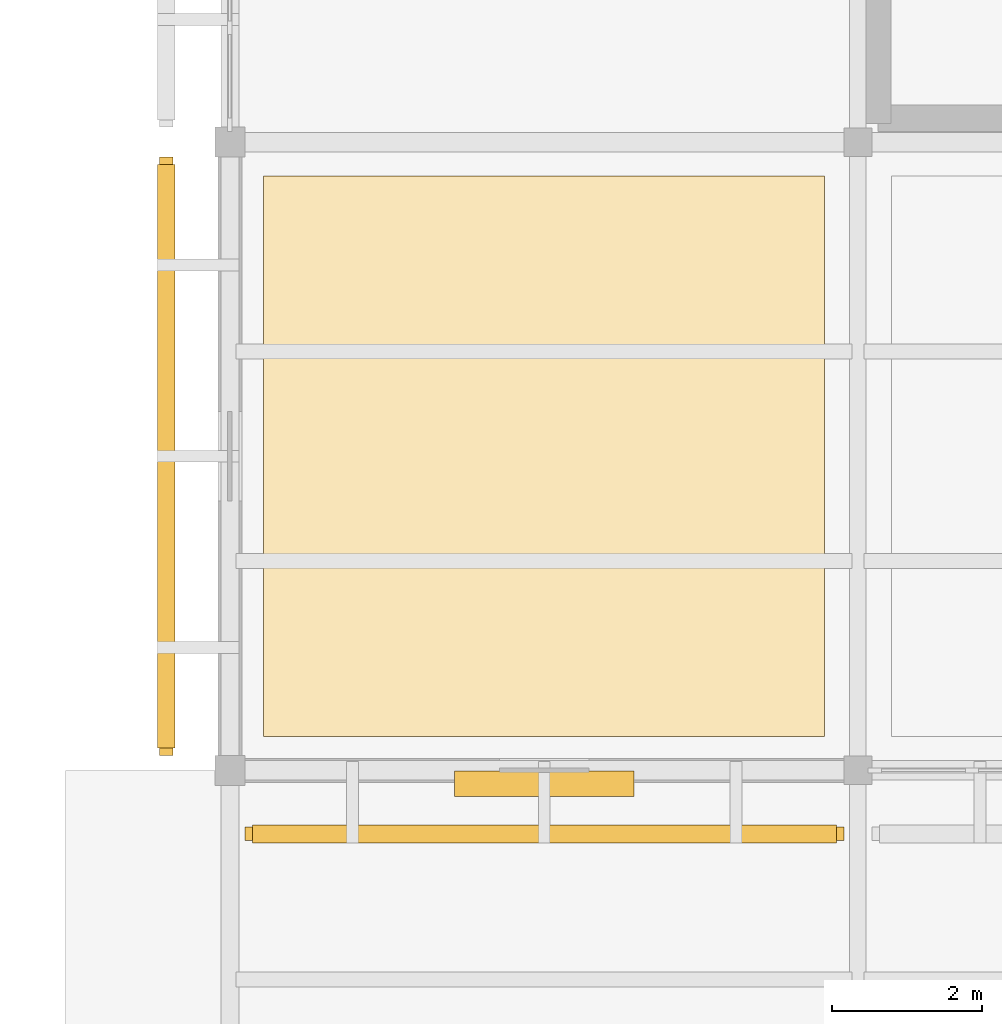
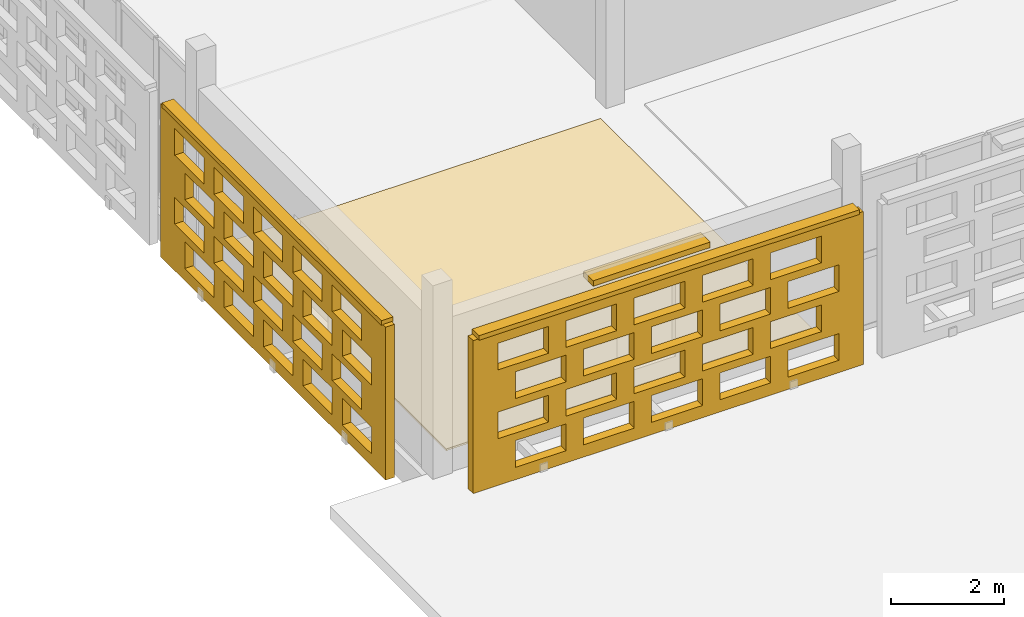
# One storey, part 96 of 140: 3 coverings, 3 shading devices, 40 openings.
"""IFC4 building model written with IfcOpenShell, lengths in metres."""

from ifc_helpers import new_model, si_unit, direction, frame, frame_2d, origin, origin_2d, place, context, subcontext, project, spatial, rectangle, extrude, material, layer, layer_set, type_object, element, save


model = new_model("IFC4")

# Units and contexts
model_context = context("Model", 3, precision=1e-05, world=origin(), true_north=direction((0.0, 1.0)))
body_context = subcontext(model_context, "Body", "Model", "MODEL_VIEW")
ifc_project = project(units=[si_unit("LENGTHUNIT", "METRE"), si_unit("AREAUNIT", "SQUARE_METRE"), si_unit("VOLUMEUNIT", "CUBIC_METRE"), si_unit("PLANEANGLEUNIT", "RADIAN"), si_unit("MASSUNIT", "GRAM", prefix="KILO")], contexts=[model_context])

# Site, building, storey
site_placement = place(None, origin())
site = spatial("IfcSite", under=ifc_project, at=site_placement, CompositionType="ELEMENT")
building_placement = place(site_placement, origin())
building = spatial("IfcBuilding", under=site, at=building_placement, Name="Varnapada Polytechnic", CompositionType="ELEMENT")
storey_placement = place(building_placement, frame((0.0, 0.0, 13.800048828125)))
storey = spatial("IfcBuildingStorey", under=building, at=storey_placement, Name="L03", CompositionType="ELEMENT", Elevation=13.800048828125)

# Covering
ifc_material_1 = material(Name="Acoustic Rubber Seminar Flooring")
ifc_layer_1 = layer(ifc_material_1, 0.0400390625)
ifc_layer_set_1 = layer_set([ifc_layer_1], Name="Acoustic Rubber Seminar Flooring")
covering_type_1 = type_object("IfcCoveringType", Name="Floor Finish FLR-06", PredefinedType="FLOORING", material=ifc_layer_set_1)
covering_1_placement = place(storey_placement, frame((12.60009765625, 12.60009765625, 0.0), z_axis=(0.0, 0.0, 1.0), x_axis=(1.0, 0.0, 0.0)))
element("IfcCovering", 1, at=covering_1_placement, inside=storey, type_object=covering_type_1, Name="L03 floor finish panel (2,2)", PredefinedType="FLOORING", context=body_context, shape_type="SweptSolid", body=[
    extrude(rectangle(XDim=7.5, YDim=7.5, at=origin_2d()), origin(), (0.0, 0.0, 1.0), 0.0400390625),
])

# Shading device
ifc_material_2 = material(Name="Anodised aluminium", Category="aluminium")
ifc_layer_2 = layer(ifc_material_2, 0.35009765625)
ifc_layer_set_2 = layer_set([ifc_layer_2], Name="Anodised aluminium")
shading_device_type_1 = type_object("IfcShadingDeviceType", Name="Solar Louvre LVR-01", PredefinedType="JALOUSIE", material=ifc_layer_set_2)
shading_device_1_placement = place(storey_placement, frame((12.60498046875, 8.219970703125, 3.159912109375), z_axis=(0.0, 0.0, 1.0), x_axis=(-1.0, 0.0, 0.0)))
element("IfcShadingDevice", 2, at=shading_device_1_placement, inside=storey, type_object=shading_device_type_1, Name="L03 aluminium sun louvre 13", PredefinedType="JALOUSIE", context=body_context, shape_type="SweptSolid", body=[
    extrude(rectangle(XDim=2.39990234375, YDim=0.340087890625, at=origin_2d()), origin(), (0.0, 0.0, 1.0), 0.1201171875),
])

# Covering, openings
ifc_material_3 = material(Name="Earth-toned architectural terracotta screen block", Category="masonry")
ifc_layer_3 = layer(ifc_material_3, 0.1201171875)
ifc_layer_set_3 = layer_set([ifc_layer_3], Name="Earth-toned architectural terracotta screen block")
covering_type_2 = type_object("IfcCoveringType", Name="Terracotta Screen Cladding CLD-01", PredefinedType="CLADDING", material=ifc_layer_set_3)
covering_2_placement = place(storey_placement, frame((16.610107421875, 7.550048828125, 0.0), z_axis=(0.0, 0.0, 1.0), x_axis=(-1.0, 0.0, 0.0)))
covering_2 = element("IfcCovering", 3, at=covering_2_placement, inside=storey, type_object=covering_type_2, Name="L03 perforated terracotta block screen (13)", PredefinedType="CLADDING", context=body_context, shape_type="SweptSolid", body=[
    extrude(rectangle(XDim=8.010009765625, YDim=0.179931640625, at=frame_2d((4.0048828125, 0.0))), origin(), (0.0, 0.0, 1.0), 3.320068359375),
])
opening_1_placement = place(covering_2_placement, frame((0.5048828125, 0.0, 0.265625)))
element("IfcOpeningElement", 4, at=opening_1_placement, cuts=covering_2, Name="Screen perforation TBS-L03-012.1", PredefinedType="OPENING", context=body_context, shape_type="SweptSolid", body=[
    extrude(rectangle(XDim=1.0400390625, YDim=0.5810546875, at=frame_2d((0.52001953125, 0.29052734375))), frame((0.0, 0.099853515625, 0.0), z_axis=(0.0, -1.0, 0.0), x_axis=(1.0, 0.0, 0.0)), (0.0, 0.0, 1.0), 0.199951171875),
])
opening_2_placement = place(covering_2_placement, frame((1.905029296875, 0.0, 0.265625)))
element("IfcOpeningElement", 5, at=opening_2_placement, cuts=covering_2, Name="Screen perforation TBS-L03-012.2", PredefinedType="OPENING", context=body_context, shape_type="SweptSolid", body=[
    extrude(rectangle(XDim=1.0400390625, YDim=0.5810546875, at=frame_2d((0.52001953125, 0.29052734375))), frame((0.0, 0.099853515625, 0.0), z_axis=(0.0, -1.0, 0.0), x_axis=(1.0, 0.0, 0.0)), (0.0, 0.0, 1.0), 0.199951171875),
])
opening_3_placement = place(covering_2_placement, frame((3.304931640625, 0.0, 0.265625)))
element("IfcOpeningElement", 6, at=opening_3_placement, cuts=covering_2, Name="Screen perforation TBS-L03-012.3", PredefinedType="OPENING", context=body_context, shape_type="SweptSolid", body=[
    extrude(rectangle(XDim=1.0400390625, YDim=0.5810546875, at=frame_2d((0.52001953125, 0.29052734375))), frame((0.0, 0.099853515625, 0.0), z_axis=(0.0, -1.0, 0.0), x_axis=(1.0, 0.0, 0.0)), (0.0, 0.0, 1.0), 0.199951171875),
])
opening_4_placement = place(covering_2_placement, frame((4.705078125, 0.0, 0.265625)))
element("IfcOpeningElement", 7, at=opening_4_placement, cuts=covering_2, Name="Screen perforation TBS-L03-012.4", PredefinedType="OPENING", context=body_context, shape_type="SweptSolid", body=[
    extrude(rectangle(XDim=1.0400390625, YDim=0.5810546875, at=frame_2d((0.52001953125, 0.29052734375))), frame((0.0, 0.099853515625, 0.0), z_axis=(0.0, -1.0, 0.0), x_axis=(1.0, 0.0, 0.0)), (0.0, 0.0, 1.0), 0.199951171875),
])
opening_5_placement = place(covering_2_placement, frame((6.10498046875, 0.0, 0.265625)))
element("IfcOpeningElement", 8, at=opening_5_placement, cuts=covering_2, Name="Screen perforation TBS-L03-012.5", PredefinedType="OPENING", context=body_context, shape_type="SweptSolid", body=[
    extrude(rectangle(XDim=1.0400390625, YDim=0.5810546875, at=frame_2d((0.52001953125, 0.29052734375))), frame((0.0, 0.099853515625, 0.0), z_axis=(0.0, -1.0, 0.0), x_axis=(1.0, 0.0, 0.0)), (0.0, 0.0, 1.0), 0.199951171875),
])
opening_6_placement = place(covering_2_placement, frame((0.864990234375, 0.0, 1.0126953125)))
element("IfcOpeningElement", 9, at=opening_6_placement, cuts=covering_2, Name="Screen perforation TBS-L03-012.6", PredefinedType="OPENING", context=body_context, shape_type="SweptSolid", body=[
    extrude(rectangle(XDim=1.0400390625, YDim=0.5810546875, at=frame_2d((0.52001953125, 0.29052734375))), frame((0.0, 0.099853515625, 0.0), z_axis=(0.0, -1.0, 0.0), x_axis=(1.0, 0.0, 0.0)), (0.0, 0.0, 1.0), 0.199951171875),
])
opening_7_placement = place(covering_2_placement, frame((2.264892578125, 0.0, 1.0126953125)))
element("IfcOpeningElement", 10, at=opening_7_placement, cuts=covering_2, Name="Screen perforation TBS-L03-012.7", PredefinedType="OPENING", context=body_context, shape_type="SweptSolid", body=[
    extrude(rectangle(XDim=1.0400390625, YDim=0.5810546875, at=frame_2d((0.52001953125, 0.29052734375))), frame((0.0, 0.099853515625, 0.0), z_axis=(0.0, -1.0, 0.0), x_axis=(1.0, 0.0, 0.0)), (0.0, 0.0, 1.0), 0.199951171875),
])
opening_8_placement = place(covering_2_placement, frame((3.6650390625, 0.0, 1.0126953125)))
element("IfcOpeningElement", 11, at=opening_8_placement, cuts=covering_2, Name="Screen perforation TBS-L03-012.8", PredefinedType="OPENING", context=body_context, shape_type="SweptSolid", body=[
    extrude(rectangle(XDim=1.0400390625, YDim=0.5810546875, at=frame_2d((0.52001953125, 0.29052734375))), frame((0.0, 0.099853515625, 0.0), z_axis=(0.0, -1.0, 0.0), x_axis=(1.0, 0.0, 0.0)), (0.0, 0.0, 1.0), 0.199951171875),
])
opening_9_placement = place(covering_2_placement, frame((5.06494140625, 0.0, 1.0126953125)))
element("IfcOpeningElement", 12, at=opening_9_placement, cuts=covering_2, Name="Screen perforation TBS-L03-012.9", PredefinedType="OPENING", context=body_context, shape_type="SweptSolid", body=[
    extrude(rectangle(XDim=1.0400390625, YDim=0.5810546875, at=frame_2d((0.52001953125, 0.29052734375))), frame((0.0, 0.099853515625, 0.0), z_axis=(0.0, -1.0, 0.0), x_axis=(1.0, 0.0, 0.0)), (0.0, 0.0, 1.0), 0.199951171875),
])
opening_10_placement = place(covering_2_placement, frame((6.465087890625, 0.0, 1.0126953125)))
element("IfcOpeningElement", 13, at=opening_10_placement, cuts=covering_2, Name="Screen perforation TBS-L03-012.10", PredefinedType="OPENING", context=body_context, shape_type="SweptSolid", body=[
    extrude(rectangle(XDim=1.0400390625, YDim=0.5810546875, at=frame_2d((0.52001953125, 0.29052734375))), frame((0.0, 0.099853515625, 0.0), z_axis=(0.0, -1.0, 0.0), x_axis=(1.0, 0.0, 0.0)), (0.0, 0.0, 1.0), 0.199951171875),
])
opening_11_placement = place(covering_2_placement, frame((0.5048828125, 0.0, 1.759521484375)))
element("IfcOpeningElement", 14, at=opening_11_placement, cuts=covering_2, Name="Screen perforation TBS-L03-012.11", PredefinedType="OPENING", context=body_context, shape_type="SweptSolid", body=[
    extrude(rectangle(XDim=1.0400390625, YDim=0.5810546875, at=frame_2d((0.52001953125, 0.29052734375))), frame((0.0, 0.099853515625, 0.0), z_axis=(0.0, -1.0, 0.0), x_axis=(1.0, 0.0, 0.0)), (0.0, 0.0, 1.0), 0.199951171875),
])
opening_12_placement = place(covering_2_placement, frame((1.905029296875, 0.0, 1.759521484375)))
element("IfcOpeningElement", 15, at=opening_12_placement, cuts=covering_2, Name="Screen perforation TBS-L03-012.12", PredefinedType="OPENING", context=body_context, shape_type="SweptSolid", body=[
    extrude(rectangle(XDim=1.0400390625, YDim=0.5810546875, at=frame_2d((0.52001953125, 0.29052734375))), frame((0.0, 0.099853515625, 0.0), z_axis=(0.0, -1.0, 0.0), x_axis=(1.0, 0.0, 0.0)), (0.0, 0.0, 1.0), 0.199951171875),
])
opening_13_placement = place(covering_2_placement, frame((3.304931640625, 0.0, 1.759521484375)))
element("IfcOpeningElement", 16, at=opening_13_placement, cuts=covering_2, Name="Screen perforation TBS-L03-012.13", PredefinedType="OPENING", context=body_context, shape_type="SweptSolid", body=[
    extrude(rectangle(XDim=1.0400390625, YDim=0.5810546875, at=frame_2d((0.52001953125, 0.29052734375))), frame((0.0, 0.099853515625, 0.0), z_axis=(0.0, -1.0, 0.0), x_axis=(1.0, 0.0, 0.0)), (0.0, 0.0, 1.0), 0.199951171875),
])
opening_14_placement = place(covering_2_placement, frame((4.705078125, 0.0, 1.759521484375)))
element("IfcOpeningElement", 17, at=opening_14_placement, cuts=covering_2, Name="Screen perforation TBS-L03-012.14", PredefinedType="OPENING", context=body_context, shape_type="SweptSolid", body=[
    extrude(rectangle(XDim=1.0400390625, YDim=0.5810546875, at=frame_2d((0.52001953125, 0.29052734375))), frame((0.0, 0.099853515625, 0.0), z_axis=(0.0, -1.0, 0.0), x_axis=(1.0, 0.0, 0.0)), (0.0, 0.0, 1.0), 0.199951171875),
])
opening_15_placement = place(covering_2_placement, frame((6.10498046875, 0.0, 1.759521484375)))
element("IfcOpeningElement", 18, at=opening_15_placement, cuts=covering_2, Name="Screen perforation TBS-L03-012.15", PredefinedType="OPENING", context=body_context, shape_type="SweptSolid", body=[
    extrude(rectangle(XDim=1.0400390625, YDim=0.5810546875, at=frame_2d((0.52001953125, 0.29052734375))), frame((0.0, 0.099853515625, 0.0), z_axis=(0.0, -1.0, 0.0), x_axis=(1.0, 0.0, 0.0)), (0.0, 0.0, 1.0), 0.199951171875),
])
opening_16_placement = place(covering_2_placement, frame((0.864990234375, 0.0, 2.506591796875)))
element("IfcOpeningElement", 19, at=opening_16_placement, cuts=covering_2, Name="Screen perforation TBS-L03-012.16", PredefinedType="OPENING", context=body_context, shape_type="SweptSolid", body=[
    extrude(rectangle(XDim=1.0400390625, YDim=0.5810546875, at=frame_2d((0.52001953125, 0.29052734375))), frame((0.0, 0.099853515625, 0.0), z_axis=(0.0, -1.0, 0.0), x_axis=(1.0, 0.0, 0.0)), (0.0, 0.0, 1.0), 0.199951171875),
])
opening_17_placement = place(covering_2_placement, frame((2.264892578125, 0.0, 2.506591796875)))
element("IfcOpeningElement", 20, at=opening_17_placement, cuts=covering_2, Name="Screen perforation TBS-L03-012.17", PredefinedType="OPENING", context=body_context, shape_type="SweptSolid", body=[
    extrude(rectangle(XDim=1.0400390625, YDim=0.5810546875, at=frame_2d((0.52001953125, 0.29052734375))), frame((0.0, 0.099853515625, 0.0), z_axis=(0.0, -1.0, 0.0), x_axis=(1.0, 0.0, 0.0)), (0.0, 0.0, 1.0), 0.199951171875),
])
opening_18_placement = place(covering_2_placement, frame((3.6650390625, 0.0, 2.506591796875)))
element("IfcOpeningElement", 21, at=opening_18_placement, cuts=covering_2, Name="Screen perforation TBS-L03-012.18", PredefinedType="OPENING", context=body_context, shape_type="SweptSolid", body=[
    extrude(rectangle(XDim=1.0400390625, YDim=0.5810546875, at=frame_2d((0.52001953125, 0.29052734375))), frame((0.0, 0.099853515625, 0.0), z_axis=(0.0, -1.0, 0.0), x_axis=(1.0, 0.0, 0.0)), (0.0, 0.0, 1.0), 0.199951171875),
])
opening_19_placement = place(covering_2_placement, frame((5.06494140625, 0.0, 2.506591796875)))
element("IfcOpeningElement", 22, at=opening_19_placement, cuts=covering_2, Name="Screen perforation TBS-L03-012.19", PredefinedType="OPENING", context=body_context, shape_type="SweptSolid", body=[
    extrude(rectangle(XDim=1.0400390625, YDim=0.5810546875, at=frame_2d((0.52001953125, 0.29052734375))), frame((0.0, 0.099853515625, 0.0), z_axis=(0.0, -1.0, 0.0), x_axis=(1.0, 0.0, 0.0)), (0.0, 0.0, 1.0), 0.199951171875),
])
opening_20_placement = place(covering_2_placement, frame((6.465087890625, 0.0, 2.506591796875)))
element("IfcOpeningElement", 23, at=opening_20_placement, cuts=covering_2, Name="Screen perforation TBS-L03-012.20", PredefinedType="OPENING", context=body_context, shape_type="SweptSolid", body=[
    extrude(rectangle(XDim=1.0400390625, YDim=0.5810546875, at=frame_2d((0.52001953125, 0.29052734375))), frame((0.0, 0.099853515625, 0.0), z_axis=(0.0, -1.0, 0.0), x_axis=(1.0, 0.0, 0.0)), (0.0, 0.0, 1.0), 0.199951171875),
])

covering_3_placement = place(storey_placement, frame((7.550048828125, 8.60009765625, 0.0), z_axis=(0.0, 0.0, 1.0), x_axis=(0.0, 1.0, 0.0)))
covering_3 = element("IfcCovering", 24, at=covering_3_placement, inside=storey, type_object=covering_type_2, Name="L03 perforated terracotta block screen (14)", PredefinedType="CLADDING", context=body_context, shape_type="SweptSolid", body=[
    extrude(rectangle(XDim=8.0, YDim=0.179931640625, at=frame_2d((4.0, 0.0))), origin(), (0.0, 0.0, 1.0), 3.320068359375),
])
opening_21_placement = place(covering_3_placement, frame((0.5, 0.0, 0.265625)))
element("IfcOpeningElement", 25, at=opening_21_placement, cuts=covering_3, Name="Screen perforation TBS-L03-013.1", PredefinedType="OPENING", context=body_context, shape_type="SweptSolid", body=[
    extrude(rectangle(XDim=1.0400390625, YDim=0.5810546875, at=frame_2d((0.52001953125, 0.29052734375))), frame((0.0, 0.099853515625, 0.0), z_axis=(0.0, -1.0, 0.0), x_axis=(1.0, 0.0, 0.0)), (0.0, 0.0, 1.0), 0.199951171875),
])
opening_22_placement = place(covering_3_placement, frame((1.89990234375, 0.0, 0.265625)))
element("IfcOpeningElement", 26, at=opening_22_placement, cuts=covering_3, Name="Screen perforation TBS-L03-013.2", PredefinedType="OPENING", context=body_context, shape_type="SweptSolid", body=[
    extrude(rectangle(XDim=1.0400390625, YDim=0.5810546875, at=frame_2d((0.52001953125, 0.29052734375))), frame((0.0, 0.099853515625, 0.0), z_axis=(0.0, -1.0, 0.0), x_axis=(1.0, 0.0, 0.0)), (0.0, 0.0, 1.0), 0.199951171875),
])
opening_23_placement = place(covering_3_placement, frame((3.300048828125, 0.0, 0.265625)))
element("IfcOpeningElement", 27, at=opening_23_placement, cuts=covering_3, Name="Screen perforation TBS-L03-013.3", PredefinedType="OPENING", context=body_context, shape_type="SweptSolid", body=[
    extrude(rectangle(XDim=1.0400390625, YDim=0.5810546875, at=frame_2d((0.52001953125, 0.29052734375))), frame((0.0, 0.099853515625, 0.0), z_axis=(0.0, -1.0, 0.0), x_axis=(1.0, 0.0, 0.0)), (0.0, 0.0, 1.0), 0.199951171875),
])
opening_24_placement = place(covering_3_placement, frame((4.699951171875, 0.0, 0.265625)))
element("IfcOpeningElement", 28, at=opening_24_placement, cuts=covering_3, Name="Screen perforation TBS-L03-013.4", PredefinedType="OPENING", context=body_context, shape_type="SweptSolid", body=[
    extrude(rectangle(XDim=1.0400390625, YDim=0.5810546875, at=frame_2d((0.52001953125, 0.29052734375))), frame((0.0, 0.099853515625, 0.0), z_axis=(0.0, -1.0, 0.0), x_axis=(1.0, 0.0, 0.0)), (0.0, 0.0, 1.0), 0.199951171875),
])
opening_25_placement = place(covering_3_placement, frame((6.10009765625, 0.0, 0.265625)))
element("IfcOpeningElement", 29, at=opening_25_placement, cuts=covering_3, Name="Screen perforation TBS-L03-013.5", PredefinedType="OPENING", context=body_context, shape_type="SweptSolid", body=[
    extrude(rectangle(XDim=1.0400390625, YDim=0.5810546875, at=frame_2d((0.52001953125, 0.29052734375))), frame((0.0, 0.099853515625, 0.0), z_axis=(0.0, -1.0, 0.0), x_axis=(1.0, 0.0, 0.0)), (0.0, 0.0, 1.0), 0.199951171875),
])
opening_26_placement = place(covering_3_placement, frame((0.860107421875, 0.0, 1.0126953125)))
element("IfcOpeningElement", 30, at=opening_26_placement, cuts=covering_3, Name="Screen perforation TBS-L03-013.6", PredefinedType="OPENING", context=body_context, shape_type="SweptSolid", body=[
    extrude(rectangle(XDim=1.0400390625, YDim=0.5810546875, at=frame_2d((0.52001953125, 0.29052734375))), frame((0.0, 0.099853515625, 0.0), z_axis=(0.0, -1.0, 0.0), x_axis=(1.0, 0.0, 0.0)), (0.0, 0.0, 1.0), 0.199951171875),
])
opening_27_placement = place(covering_3_placement, frame((2.260009765625, 0.0, 1.0126953125)))
element("IfcOpeningElement", 31, at=opening_27_placement, cuts=covering_3, Name="Screen perforation TBS-L03-013.7", PredefinedType="OPENING", context=body_context, shape_type="SweptSolid", body=[
    extrude(rectangle(XDim=1.0400390625, YDim=0.5810546875, at=frame_2d((0.52001953125, 0.29052734375))), frame((0.0, 0.099853515625, 0.0), z_axis=(0.0, -1.0, 0.0), x_axis=(1.0, 0.0, 0.0)), (0.0, 0.0, 1.0), 0.199951171875),
])
opening_28_placement = place(covering_3_placement, frame((3.659912109375, 0.0, 1.0126953125)))
element("IfcOpeningElement", 32, at=opening_28_placement, cuts=covering_3, Name="Screen perforation TBS-L03-013.8", PredefinedType="OPENING", context=body_context, shape_type="SweptSolid", body=[
    extrude(rectangle(XDim=1.0400390625, YDim=0.5810546875, at=frame_2d((0.52001953125, 0.29052734375))), frame((0.0, 0.099853515625, 0.0), z_axis=(0.0, -1.0, 0.0), x_axis=(1.0, 0.0, 0.0)), (0.0, 0.0, 1.0), 0.199951171875),
])
opening_29_placement = place(covering_3_placement, frame((5.06005859375, 0.0, 1.0126953125)))
element("IfcOpeningElement", 33, at=opening_29_placement, cuts=covering_3, Name="Screen perforation TBS-L03-013.9", PredefinedType="OPENING", context=body_context, shape_type="SweptSolid", body=[
    extrude(rectangle(XDim=1.0400390625, YDim=0.5810546875, at=frame_2d((0.52001953125, 0.29052734375))), frame((0.0, 0.099853515625, 0.0), z_axis=(0.0, -1.0, 0.0), x_axis=(1.0, 0.0, 0.0)), (0.0, 0.0, 1.0), 0.199951171875),
])
opening_30_placement = place(covering_3_placement, frame((6.4599609375, 0.0, 1.0126953125)))
element("IfcOpeningElement", 34, at=opening_30_placement, cuts=covering_3, Name="Screen perforation TBS-L03-013.10", PredefinedType="OPENING", context=body_context, shape_type="SweptSolid", body=[
    extrude(rectangle(XDim=1.0400390625, YDim=0.5810546875, at=frame_2d((0.52001953125, 0.29052734375))), frame((0.0, 0.099853515625, 0.0), z_axis=(0.0, -1.0, 0.0), x_axis=(1.0, 0.0, 0.0)), (0.0, 0.0, 1.0), 0.199951171875),
])
opening_31_placement = place(covering_3_placement, frame((0.5, 0.0, 1.759521484375)))
element("IfcOpeningElement", 35, at=opening_31_placement, cuts=covering_3, Name="Screen perforation TBS-L03-013.11", PredefinedType="OPENING", context=body_context, shape_type="SweptSolid", body=[
    extrude(rectangle(XDim=1.0400390625, YDim=0.5810546875, at=frame_2d((0.52001953125, 0.29052734375))), frame((0.0, 0.099853515625, 0.0), z_axis=(0.0, -1.0, 0.0), x_axis=(1.0, 0.0, 0.0)), (0.0, 0.0, 1.0), 0.199951171875),
])
opening_32_placement = place(covering_3_placement, frame((1.89990234375, 0.0, 1.759521484375)))
element("IfcOpeningElement", 36, at=opening_32_placement, cuts=covering_3, Name="Screen perforation TBS-L03-013.12", PredefinedType="OPENING", context=body_context, shape_type="SweptSolid", body=[
    extrude(rectangle(XDim=1.0400390625, YDim=0.5810546875, at=frame_2d((0.52001953125, 0.29052734375))), frame((0.0, 0.099853515625, 0.0), z_axis=(0.0, -1.0, 0.0), x_axis=(1.0, 0.0, 0.0)), (0.0, 0.0, 1.0), 0.199951171875),
])
opening_33_placement = place(covering_3_placement, frame((3.300048828125, 0.0, 1.759521484375)))
element("IfcOpeningElement", 37, at=opening_33_placement, cuts=covering_3, Name="Screen perforation TBS-L03-013.13", PredefinedType="OPENING", context=body_context, shape_type="SweptSolid", body=[
    extrude(rectangle(XDim=1.0400390625, YDim=0.5810546875, at=frame_2d((0.52001953125, 0.29052734375))), frame((0.0, 0.099853515625, 0.0), z_axis=(0.0, -1.0, 0.0), x_axis=(1.0, 0.0, 0.0)), (0.0, 0.0, 1.0), 0.199951171875),
])
opening_34_placement = place(covering_3_placement, frame((4.699951171875, 0.0, 1.759521484375)))
element("IfcOpeningElement", 38, at=opening_34_placement, cuts=covering_3, Name="Screen perforation TBS-L03-013.14", PredefinedType="OPENING", context=body_context, shape_type="SweptSolid", body=[
    extrude(rectangle(XDim=1.0400390625, YDim=0.5810546875, at=frame_2d((0.52001953125, 0.29052734375))), frame((0.0, 0.099853515625, 0.0), z_axis=(0.0, -1.0, 0.0), x_axis=(1.0, 0.0, 0.0)), (0.0, 0.0, 1.0), 0.199951171875),
])
opening_35_placement = place(covering_3_placement, frame((6.10009765625, 0.0, 1.759521484375)))
element("IfcOpeningElement", 39, at=opening_35_placement, cuts=covering_3, Name="Screen perforation TBS-L03-013.15", PredefinedType="OPENING", context=body_context, shape_type="SweptSolid", body=[
    extrude(rectangle(XDim=1.0400390625, YDim=0.5810546875, at=frame_2d((0.52001953125, 0.29052734375))), frame((0.0, 0.099853515625, 0.0), z_axis=(0.0, -1.0, 0.0), x_axis=(1.0, 0.0, 0.0)), (0.0, 0.0, 1.0), 0.199951171875),
])
opening_36_placement = place(covering_3_placement, frame((0.860107421875, 0.0, 2.506591796875)))
element("IfcOpeningElement", 40, at=opening_36_placement, cuts=covering_3, Name="Screen perforation TBS-L03-013.16", PredefinedType="OPENING", context=body_context, shape_type="SweptSolid", body=[
    extrude(rectangle(XDim=1.0400390625, YDim=0.5810546875, at=frame_2d((0.52001953125, 0.29052734375))), frame((0.0, 0.099853515625, 0.0), z_axis=(0.0, -1.0, 0.0), x_axis=(1.0, 0.0, 0.0)), (0.0, 0.0, 1.0), 0.199951171875),
])
opening_37_placement = place(covering_3_placement, frame((2.260009765625, 0.0, 2.506591796875)))
element("IfcOpeningElement", 41, at=opening_37_placement, cuts=covering_3, Name="Screen perforation TBS-L03-013.17", PredefinedType="OPENING", context=body_context, shape_type="SweptSolid", body=[
    extrude(rectangle(XDim=1.0400390625, YDim=0.5810546875, at=frame_2d((0.52001953125, 0.29052734375))), frame((0.0, 0.099853515625, 0.0), z_axis=(0.0, -1.0, 0.0), x_axis=(1.0, 0.0, 0.0)), (0.0, 0.0, 1.0), 0.199951171875),
])
opening_38_placement = place(covering_3_placement, frame((3.659912109375, 0.0, 2.506591796875)))
element("IfcOpeningElement", 42, at=opening_38_placement, cuts=covering_3, Name="Screen perforation TBS-L03-013.18", PredefinedType="OPENING", context=body_context, shape_type="SweptSolid", body=[
    extrude(rectangle(XDim=1.0400390625, YDim=0.5810546875, at=frame_2d((0.52001953125, 0.29052734375))), frame((0.0, 0.099853515625, 0.0), z_axis=(0.0, -1.0, 0.0), x_axis=(1.0, 0.0, 0.0)), (0.0, 0.0, 1.0), 0.199951171875),
])
opening_39_placement = place(covering_3_placement, frame((5.06005859375, 0.0, 2.506591796875)))
element("IfcOpeningElement", 43, at=opening_39_placement, cuts=covering_3, Name="Screen perforation TBS-L03-013.19", PredefinedType="OPENING", context=body_context, shape_type="SweptSolid", body=[
    extrude(rectangle(XDim=1.0400390625, YDim=0.5810546875, at=frame_2d((0.52001953125, 0.29052734375))), frame((0.0, 0.099853515625, 0.0), z_axis=(0.0, -1.0, 0.0), x_axis=(1.0, 0.0, 0.0)), (0.0, 0.0, 1.0), 0.199951171875),
])
opening_40_placement = place(covering_3_placement, frame((6.4599609375, 0.0, 2.506591796875)))
element("IfcOpeningElement", 44, at=opening_40_placement, cuts=covering_3, Name="Screen perforation TBS-L03-013.20", PredefinedType="OPENING", context=body_context, shape_type="SweptSolid", body=[
    extrude(rectangle(XDim=1.0400390625, YDim=0.5810546875, at=frame_2d((0.52001953125, 0.29052734375))), frame((0.0, 0.099853515625, 0.0), z_axis=(0.0, -1.0, 0.0), x_axis=(1.0, 0.0, 0.0)), (0.0, 0.0, 1.0), 0.199951171875),
])

# Shading devices
ifc_layer_4 = layer(ifc_material_3, 0.179931640625)
ifc_layer_set_4 = layer_set([ifc_layer_4], Name="Earth-toned architectural terracotta screen block")
shading_device_type_2 = type_object("IfcShadingDeviceType", Name="Terracotta Screen SCR-01", PredefinedType="USERDEFINED", material=ifc_layer_set_4)
shading_device_2_placement = place(storey_placement, frame((12.60498046875, 7.550048828125, 3.309814453125), z_axis=(0.0, 0.0, 1.0), x_axis=(-1.0, 0.0, 0.0)))
element("IfcShadingDevice", 45, at=shading_device_2_placement, inside=storey, type_object=shading_device_type_2, Name="L03 perforated terracotta screen hood 348", ObjectType="SCREEN", PredefinedType="USERDEFINED", context=body_context, shape_type="SweptSolid", body=[
    extrude(rectangle(XDim=7.81005859375, YDim=0.239990234375, at=origin_2d()), origin(), (0.0, 0.0, 1.0), 0.10009765625),
])
shading_device_3_placement = place(storey_placement, frame((7.550048828125, 12.60009765625, 3.309814453125), z_axis=(0.0, 0.0, 1.0), x_axis=(0.0, 1.0, 0.0)))
element("IfcShadingDevice", 46, at=shading_device_3_placement, inside=storey, type_object=shading_device_type_2, Name="L03 perforated terracotta screen hood 349", ObjectType="SCREEN", PredefinedType="USERDEFINED", context=body_context, shape_type="SweptSolid", body=[
    extrude(rectangle(XDim=7.800048828125, YDim=0.239990234375, at=origin_2d()), origin(), (0.0, 0.0, 1.0), 0.10009765625),
])

save(model, "model.ifc")
